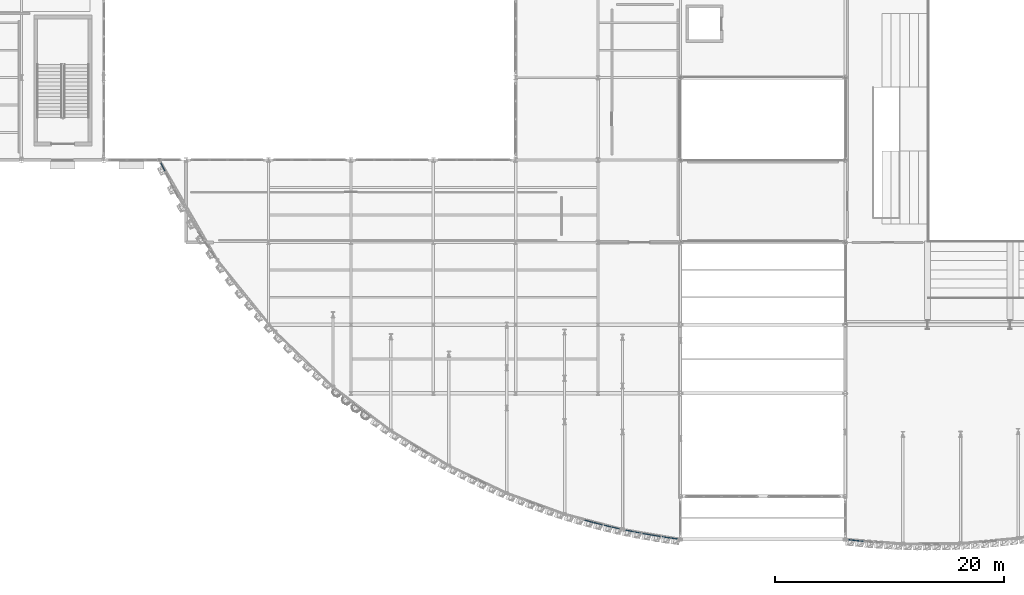
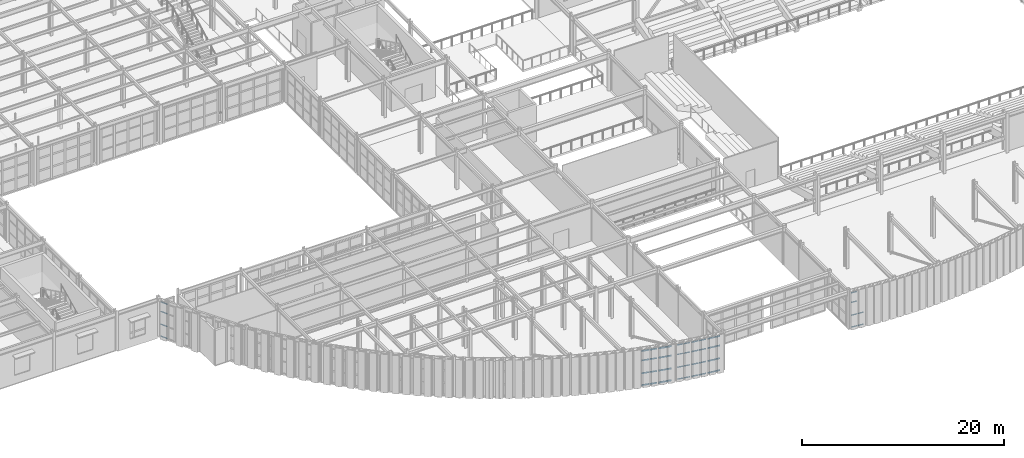
# One storey, part 68 of 121: 50 members, 7 elements without a shape of their own.
"""IFC4 building model written with IfcOpenShell, lengths in metres."""

from ifc_helpers import new_model, si_unit, direction, frame, origin, origin_2d, place, context, subcontext, project, spatial, hollow_rectangle, extrude, material, layer, layer_set, material_profile, profile_set, type_object, element, aggregate, save


model = new_model("IFC4")

# Units and contexts
model_context = context("Model", 3, precision=1e-05, world=origin(), true_north=direction((0.0, 1.0)))
body_context = subcontext(model_context, "Body", "Model", "MODEL_VIEW")
ifc_project = project(units=[si_unit("LENGTHUNIT", "METRE"), si_unit("AREAUNIT", "SQUARE_METRE"), si_unit("VOLUMEUNIT", "CUBIC_METRE"), si_unit("PLANEANGLEUNIT", "RADIAN"), si_unit("MASSUNIT", "GRAM", prefix="KILO")], contexts=[model_context])

# Site, building, storey
site_placement = place(None, origin())
site = spatial("IfcSite", under=ifc_project, at=site_placement, CompositionType="ELEMENT")
building_placement = place(site_placement, origin())
building = spatial("IfcBuilding", under=site, at=building_placement, Name="Solvadek Multi-Sports Hall", CompositionType="ELEMENT")
storey_placement = place(building_placement, frame((0.0, 0.0, 4.800048828125)))
storey = spatial("IfcBuildingStorey", under=building, at=storey_placement, Name="L01", CompositionType="ELEMENT", Elevation=4.800048828125)

# Curtain wall, members
ifc_material = material(Name="Anodised aluminium", Category="aluminium")
ifc_layer_1 = layer(ifc_material, 0.159912109375, Name="Anodised aluminium")
ifc_layer_set_1 = layer_set([ifc_layer_1], Name="Anodised aluminium")
curtain_wall_type_1 = type_object("IfcCurtainWallType", Name="ENV-CW-347X420", PredefinedType="USERDEFINED", material=ifc_layer_set_1)
curtain_wall_1_placement = place(storey_placement, origin())
curtain_wall_1 = element("IfcCurtainWall", 1, at=curtain_wall_1_placement, inside=storey, type_object=curtain_wall_type_1, Name="L01 Crescent Curved Curtain Wall #1", ObjectType="CURTAIN WALL", PredefinedType="USERDEFINED")
ifc_material_profile_1 = material_profile(ifc_material, hollow_rectangle(XDim=0.06005859375, YDim=0.1201171875, WallThickness=0.00390625, at=origin_2d()), Name="ALU-T 120x60x4")
ifc_profile_set_1 = profile_set([ifc_material_profile_1], Name="Anodised aluminium")
member_type_1 = type_object("IfcMemberType", Name="ENV-CWT-01", PredefinedType="USERDEFINED", material=ifc_profile_set_1)
member_1_placement = place(storey_placement, frame((26.590087890625, 20.13232421875, 0.030029296875), z_axis=(0.451484381787, -0.892279021944, 0.0), x_axis=(0.892279021944, 0.451484381787, 0.0)))
member_1 = element("IfcMember", 2, at=member_1_placement, type_object=member_type_1, Name="CW-01 transom 1.1", ObjectType="TRANSOM", PredefinedType="USERDEFINED", context=body_context, shape_type="SweptSolid", body=[
    extrude(hollow_rectangle(XDim=0.06005859375, YDim=0.1201171875, WallThickness=0.00390625, at=origin_2d()), origin(), (0.0, 0.0, 1.0), 0.776611328125),
])
member_2_placement = place(storey_placement, frame((26.590087890625, 20.13232421875, 1.469970703125), z_axis=(0.451484381787, -0.892279021944, 0.0), x_axis=(0.892279021944, 0.451484381787, 0.0)))
member_2 = element("IfcMember", 3, at=member_2_placement, type_object=member_type_1, Name="CW-01 transom 1.2", ObjectType="TRANSOM", PredefinedType="USERDEFINED", context=body_context, shape_type="SweptSolid", body=[
    extrude(hollow_rectangle(XDim=0.06005859375, YDim=0.1201171875, WallThickness=0.00390625, at=origin_2d()), origin(), (0.0, 0.0, 1.0), 0.776611328125),
])
member_3_placement = place(storey_placement, frame((26.590087890625, 20.13232421875, 3.02392578125), z_axis=(0.451484381787, -0.892279021944, 0.0), x_axis=(0.892279021944, 0.451484381787, 0.0)))
member_3 = element("IfcMember", 4, at=member_3_placement, type_object=member_type_1, Name="CW-01 transom 1.3", ObjectType="TRANSOM", PredefinedType="USERDEFINED", context=body_context, shape_type="SweptSolid", body=[
    extrude(hollow_rectangle(XDim=0.06005859375, YDim=0.1201171875, WallThickness=0.00390625, at=origin_2d()), origin(), (0.0, 0.0, 1.0), 0.776611328125),
])
member_4_placement = place(storey_placement, frame((26.590087890625, 20.13232421875, 4.169921875), z_axis=(0.451484381787, -0.892279021944, 0.0), x_axis=(0.892279021944, 0.451484381787, 0.0)))
member_4 = element("IfcMember", 5, at=member_4_placement, type_object=member_type_1, Name="CW-01 transom 1.4", ObjectType="TRANSOM", PredefinedType="USERDEFINED", context=body_context, shape_type="SweptSolid", body=[
    extrude(hollow_rectangle(XDim=0.06005859375, YDim=0.1201171875, WallThickness=0.00390625, at=origin_2d()), origin(), (0.0, 0.0, 1.0), 0.776611328125),
])
aggregate(curtain_wall_1, [member_1, member_2, member_3, member_4])

ifc_layer_2 = layer(ifc_material, 0.159912109375, Name="Anodised aluminium")
ifc_layer_set_2 = layer_set([ifc_layer_2], Name="Anodised aluminium")
curtain_wall_type_2 = type_object("IfcCurtainWallType", Name="ENV-CW-145X420", PredefinedType="USERDEFINED", material=ifc_layer_set_2)
curtain_wall_2_placement = place(storey_placement, origin())
curtain_wall_2 = element("IfcCurtainWall", 6, at=curtain_wall_2_placement, inside=storey, type_object=curtain_wall_type_2, Name="L01 Crescent Curved Curtain Wall #49", ObjectType="CURTAIN WALL", PredefinedType="USERDEFINED")
member_5_placement = place(storey_placement, frame((67.243408203125, -11.954833984375, 0.030029296875), z_axis=(0.980595813364, -0.196040431576, 0.0), x_axis=(0.196040431576, 0.980595813364, 0.0)))
member_5 = element("IfcMember", 7, at=member_5_placement, type_object=member_type_1, Name="CW-24 transom 1.1", ObjectType="TRANSOM", PredefinedType="USERDEFINED", context=body_context, shape_type="SweptSolid", body=[
    extrude(hollow_rectangle(XDim=0.06005859375, YDim=0.1201171875, WallThickness=0.00390625, at=origin_2d()), origin(), (0.0, 0.0, 1.0), 0.6201171875),
])
member_6_placement = place(storey_placement, frame((67.243408203125, -11.954833984375, 1.469970703125), z_axis=(0.980595813364, -0.196040431576, 0.0), x_axis=(0.196040431576, 0.980595813364, 0.0)))
member_6 = element("IfcMember", 8, at=member_6_placement, type_object=member_type_1, Name="CW-24 transom 1.2", ObjectType="TRANSOM", PredefinedType="USERDEFINED", context=body_context, shape_type="SweptSolid", body=[
    extrude(hollow_rectangle(XDim=0.06005859375, YDim=0.1201171875, WallThickness=0.00390625, at=origin_2d()), origin(), (0.0, 0.0, 1.0), 0.6201171875),
])
member_7_placement = place(storey_placement, frame((67.243408203125, -11.954833984375, 3.02392578125), z_axis=(0.980595813364, -0.196040431576, 0.0), x_axis=(0.196040431576, 0.980595813364, 0.0)))
member_7 = element("IfcMember", 9, at=member_7_placement, type_object=member_type_1, Name="CW-24 transom 1.3", ObjectType="TRANSOM", PredefinedType="USERDEFINED", context=body_context, shape_type="SweptSolid", body=[
    extrude(hollow_rectangle(XDim=0.06005859375, YDim=0.1201171875, WallThickness=0.00390625, at=origin_2d()), origin(), (0.0, 0.0, 1.0), 0.6201171875),
])
member_8_placement = place(storey_placement, frame((67.243408203125, -11.954833984375, 4.169921875), z_axis=(0.980595813364, -0.196040431576, 0.0), x_axis=(0.196040431576, 0.980595813364, 0.0)))
member_8 = element("IfcMember", 10, at=member_8_placement, type_object=member_type_1, Name="CW-24 transom 1.4", ObjectType="TRANSOM", PredefinedType="USERDEFINED", context=body_context, shape_type="SweptSolid", body=[
    extrude(hollow_rectangle(XDim=0.06005859375, YDim=0.1201171875, WallThickness=0.00390625, at=origin_2d()), origin(), (0.0, 0.0, 1.0), 0.6201171875),
])
member_9_placement = place(storey_placement, frame((67.920166015625, -12.090087890625, 0.030029296875), z_axis=(0.980595813364, -0.196040431576, 0.0), x_axis=(0.196040431576, 0.980595813364, 0.0)))
member_9 = element("IfcMember", 11, at=member_9_placement, type_object=member_type_1, Name="CW-24 transom 2.1", ObjectType="TRANSOM", PredefinedType="USERDEFINED", context=body_context, shape_type="SweptSolid", body=[
    extrude(hollow_rectangle(XDim=0.06005859375, YDim=0.1201171875, WallThickness=0.00390625, at=origin_2d()), origin(), (0.0, 0.0, 1.0), 0.6201171875),
])
member_10_placement = place(storey_placement, frame((67.920166015625, -12.090087890625, 1.469970703125), z_axis=(0.980595813364, -0.196040431576, 0.0), x_axis=(0.196040431576, 0.980595813364, 0.0)))
member_10 = element("IfcMember", 12, at=member_10_placement, type_object=member_type_1, Name="CW-24 transom 2.2", ObjectType="TRANSOM", PredefinedType="USERDEFINED", context=body_context, shape_type="SweptSolid", body=[
    extrude(hollow_rectangle(XDim=0.06005859375, YDim=0.1201171875, WallThickness=0.00390625, at=origin_2d()), origin(), (0.0, 0.0, 1.0), 0.6201171875),
])
member_11_placement = place(storey_placement, frame((67.920166015625, -12.090087890625, 3.02392578125), z_axis=(0.980595813364, -0.196040431576, 0.0), x_axis=(0.196040431576, 0.980595813364, 0.0)))
member_11 = element("IfcMember", 13, at=member_11_placement, type_object=member_type_1, Name="CW-24 transom 2.3", ObjectType="TRANSOM", PredefinedType="USERDEFINED", context=body_context, shape_type="SweptSolid", body=[
    extrude(hollow_rectangle(XDim=0.06005859375, YDim=0.1201171875, WallThickness=0.00390625, at=origin_2d()), origin(), (0.0, 0.0, 1.0), 0.6201171875),
])
member_12_placement = place(storey_placement, frame((67.920166015625, -12.090087890625, 4.169921875), z_axis=(0.980595813364, -0.196040431576, 0.0), x_axis=(0.196040431576, 0.980595813364, 0.0)))
member_12 = element("IfcMember", 14, at=member_12_placement, type_object=member_type_1, Name="CW-24 transom 2.4", ObjectType="TRANSOM", PredefinedType="USERDEFINED", context=body_context, shape_type="SweptSolid", body=[
    extrude(hollow_rectangle(XDim=0.06005859375, YDim=0.1201171875, WallThickness=0.00390625, at=origin_2d()), origin(), (0.0, 0.0, 1.0), 0.6201171875),
])
aggregate(curtain_wall_2, [member_5, member_6, member_7, member_8, member_9, member_10, member_11, member_12])

ifc_layer_3 = layer(ifc_material, 0.159912109375, Name="Anodised aluminium")
ifc_layer_set_3 = layer_set([ifc_layer_3], Name="Anodised aluminium")
curtain_wall_type_3 = type_object("IfcCurtainWallType", Name="ENV-CW-142X420", PredefinedType="USERDEFINED", material=ifc_layer_set_3)
curtain_wall_3_placement = place(storey_placement, origin())
curtain_wall_3 = element("IfcCurtainWall", 15, at=curtain_wall_3_placement, inside=storey, type_object=curtain_wall_type_3, Name="L01 Crescent Curved Curtain Wall #55", ObjectType="CURTAIN WALL", PredefinedType="USERDEFINED")
member_13_placement = place(storey_placement, frame((86.6982421875, -12.78564453125, 0.030029296875), z_axis=(0.99399365493, -0.109437717256, 0.0), x_axis=(0.109437717256, 0.99399365493, 0.0)))
member_13 = element("IfcMember", 16, at=member_13_placement, type_object=member_type_1, Name="CW-27 transom 1.1", ObjectType="TRANSOM", PredefinedType="USERDEFINED", context=body_context, shape_type="SweptSolid", body=[
    extrude(hollow_rectangle(XDim=0.06005859375, YDim=0.1201171875, WallThickness=0.00390625, at=origin_2d()), origin(), (0.0, 0.0, 1.0), 0.6201171875),
])
member_14_placement = place(storey_placement, frame((86.6982421875, -12.78564453125, 1.469970703125), z_axis=(0.99399365493, -0.109437717256, 0.0), x_axis=(0.109437717256, 0.99399365493, 0.0)))
member_14 = element("IfcMember", 17, at=member_14_placement, type_object=member_type_1, Name="CW-27 transom 1.2", ObjectType="TRANSOM", PredefinedType="USERDEFINED", context=body_context, shape_type="SweptSolid", body=[
    extrude(hollow_rectangle(XDim=0.06005859375, YDim=0.1201171875, WallThickness=0.00390625, at=origin_2d()), origin(), (0.0, 0.0, 1.0), 0.6201171875),
])
member_15_placement = place(storey_placement, frame((86.6982421875, -12.78564453125, 3.02392578125), z_axis=(0.99399365493, -0.109437717256, 0.0), x_axis=(0.109437717256, 0.99399365493, 0.0)))
member_15 = element("IfcMember", 18, at=member_15_placement, type_object=member_type_1, Name="CW-27 transom 1.3", ObjectType="TRANSOM", PredefinedType="USERDEFINED", context=body_context, shape_type="SweptSolid", body=[
    extrude(hollow_rectangle(XDim=0.06005859375, YDim=0.1201171875, WallThickness=0.00390625, at=origin_2d()), origin(), (0.0, 0.0, 1.0), 0.6201171875),
])
member_16_placement = place(storey_placement, frame((86.6982421875, -12.78564453125, 4.169921875), z_axis=(0.99399365493, -0.109437717256, 0.0), x_axis=(0.109437717256, 0.99399365493, 0.0)))
member_16 = element("IfcMember", 19, at=member_16_placement, type_object=member_type_1, Name="CW-27 transom 1.4", ObjectType="TRANSOM", PredefinedType="USERDEFINED", context=body_context, shape_type="SweptSolid", body=[
    extrude(hollow_rectangle(XDim=0.06005859375, YDim=0.1201171875, WallThickness=0.00390625, at=origin_2d()), origin(), (0.0, 0.0, 1.0), 0.6201171875),
])
member_17_placement = place(storey_placement, frame((87.374267578125, -12.85986328125, 0.030029296875), z_axis=(0.993988937438, -0.109480556501, 0.0), x_axis=(0.109480556501, 0.993988937438, 0.0)))
member_17 = element("IfcMember", 20, at=member_17_placement, type_object=member_type_1, Name="CW-27 transom 2.1", ObjectType="TRANSOM", PredefinedType="USERDEFINED", context=body_context, shape_type="SweptSolid", body=[
    extrude(hollow_rectangle(XDim=0.06005859375, YDim=0.1201171875, WallThickness=0.00390625, at=origin_2d()), origin(), (0.0, 0.0, 1.0), 0.619873046875),
])
member_18_placement = place(storey_placement, frame((87.374267578125, -12.85986328125, 1.469970703125), z_axis=(0.993988937438, -0.109480556501, 0.0), x_axis=(0.109480556501, 0.993988937438, 0.0)))
member_18 = element("IfcMember", 21, at=member_18_placement, type_object=member_type_1, Name="CW-27 transom 2.2", ObjectType="TRANSOM", PredefinedType="USERDEFINED", context=body_context, shape_type="SweptSolid", body=[
    extrude(hollow_rectangle(XDim=0.06005859375, YDim=0.1201171875, WallThickness=0.00390625, at=origin_2d()), origin(), (0.0, 0.0, 1.0), 0.619873046875),
])
aggregate(curtain_wall_3, [member_13, member_14, member_15, member_16, member_17, member_18])

ifc_layer_4 = layer(ifc_material, 0.159912109375, Name="Anodised aluminium")
ifc_layer_set_4 = layer_set([ifc_layer_4], Name="Anodised aluminium")
curtain_wall_type_4 = type_object("IfcCurtainWallType", Name="ENV-CW-165X420", PredefinedType="USERDEFINED", material=ifc_layer_set_4)
curtain_wall_4_placement = place(storey_placement, origin())
curtain_wall_4 = element("IfcCurtainWall", 22, at=curtain_wall_4_placement, inside=storey, type_object=curtain_wall_type_4, Name="L01 Crescent Curved Curtain Wall #51", ObjectType="CURTAIN WALL", PredefinedType="USERDEFINED")
ifc_material_profile_2 = material_profile(ifc_material, hollow_rectangle(XDim=0.06005859375, YDim=0.139892578125, WallThickness=0.00390625, at=origin_2d()), Name="ALU-T 140x60x4")
ifc_profile_set_2 = profile_set([ifc_material_profile_2], Name="Anodised aluminium")
member_type_2 = type_object("IfcMemberType", Name="ENV-CWT-02", PredefinedType="USERDEFINED", material=ifc_profile_set_2)
member_19_placement = place(storey_placement, frame((68.715087890625, -12.246337890625, 0.030029296875), z_axis=(0.985905166387, -0.167305119144, 0.0), x_axis=(0.167305119144, 0.985905166387, 0.0)))
member_19 = element("IfcMember", 23, at=member_19_placement, type_object=member_type_2, Name="CW-25 transom 1.1", ObjectType="TRANSOM", PredefinedType="USERDEFINED", context=body_context, shape_type="SweptSolid", body=[
    extrude(hollow_rectangle(XDim=0.06005859375, YDim=0.139892578125, WallThickness=0.00390625, at=origin_2d()), origin(), (0.0, 0.0, 1.0), 0.7353515625),
])
member_20_placement = place(storey_placement, frame((68.715087890625, -12.246337890625, 1.469970703125), z_axis=(0.985905166387, -0.167305119144, 0.0), x_axis=(0.167305119144, 0.985905166387, 0.0)))
member_20 = element("IfcMember", 24, at=member_20_placement, type_object=member_type_2, Name="CW-25 transom 1.2", ObjectType="TRANSOM", PredefinedType="USERDEFINED", context=body_context, shape_type="SweptSolid", body=[
    extrude(hollow_rectangle(XDim=0.06005859375, YDim=0.139892578125, WallThickness=0.00390625, at=origin_2d()), origin(), (0.0, 0.0, 1.0), 0.7353515625),
])
member_21_placement = place(storey_placement, frame((68.715087890625, -12.246337890625, 3.02392578125), z_axis=(0.985905166387, -0.167305119144, 0.0), x_axis=(0.167305119144, 0.985905166387, 0.0)))
member_21 = element("IfcMember", 25, at=member_21_placement, type_object=member_type_2, Name="CW-25 transom 1.3", ObjectType="TRANSOM", PredefinedType="USERDEFINED", context=body_context, shape_type="SweptSolid", body=[
    extrude(hollow_rectangle(XDim=0.06005859375, YDim=0.139892578125, WallThickness=0.00390625, at=origin_2d()), origin(), (0.0, 0.0, 1.0), 0.7353515625),
])
member_22_placement = place(storey_placement, frame((68.715087890625, -12.246337890625, 4.169921875), z_axis=(0.985905166387, -0.167305119144, 0.0), x_axis=(0.167305119144, 0.985905166387, 0.0)))
member_22 = element("IfcMember", 26, at=member_22_placement, type_object=member_type_2, Name="CW-25 transom 1.4", ObjectType="TRANSOM", PredefinedType="USERDEFINED", context=body_context, shape_type="SweptSolid", body=[
    extrude(hollow_rectangle(XDim=0.06005859375, YDim=0.139892578125, WallThickness=0.00390625, at=origin_2d()), origin(), (0.0, 0.0, 1.0), 0.7353515625),
])
member_23_placement = place(storey_placement, frame((69.499267578125, -12.37939453125, 0.030029296875), z_axis=(0.985905166387, -0.167305119144, 0.0), x_axis=(0.167305119144, 0.985905166387, 0.0)))
member_23 = element("IfcMember", 27, at=member_23_placement, type_object=member_type_2, Name="CW-25 transom 2.1", ObjectType="TRANSOM", PredefinedType="USERDEFINED", context=body_context, shape_type="SweptSolid", body=[
    extrude(hollow_rectangle(XDim=0.06005859375, YDim=0.139892578125, WallThickness=0.00390625, at=origin_2d()), origin(), (0.0, 0.0, 1.0), 0.7353515625),
])
member_24_placement = place(storey_placement, frame((69.499267578125, -12.37939453125, 1.469970703125), z_axis=(0.985905166387, -0.167305119144, 0.0), x_axis=(0.167305119144, 0.985905166387, 0.0)))
member_24 = element("IfcMember", 28, at=member_24_placement, type_object=member_type_2, Name="CW-25 transom 2.2", ObjectType="TRANSOM", PredefinedType="USERDEFINED", context=body_context, shape_type="SweptSolid", body=[
    extrude(hollow_rectangle(XDim=0.06005859375, YDim=0.139892578125, WallThickness=0.00390625, at=origin_2d()), origin(), (0.0, 0.0, 1.0), 0.7353515625),
])
member_25_placement = place(storey_placement, frame((69.499267578125, -12.37939453125, 3.02392578125), z_axis=(0.985905166387, -0.167305119144, 0.0), x_axis=(0.167305119144, 0.985905166387, 0.0)))
member_25 = element("IfcMember", 29, at=member_25_placement, type_object=member_type_2, Name="CW-25 transom 2.3", ObjectType="TRANSOM", PredefinedType="USERDEFINED", context=body_context, shape_type="SweptSolid", body=[
    extrude(hollow_rectangle(XDim=0.06005859375, YDim=0.139892578125, WallThickness=0.00390625, at=origin_2d()), origin(), (0.0, 0.0, 1.0), 0.7353515625),
])
member_26_placement = place(storey_placement, frame((69.499267578125, -12.37939453125, 4.169921875), z_axis=(0.985905166387, -0.167305119144, 0.0), x_axis=(0.167305119144, 0.985905166387, 0.0)))
member_26 = element("IfcMember", 30, at=member_26_placement, type_object=member_type_2, Name="CW-25 transom 2.4", ObjectType="TRANSOM", PredefinedType="USERDEFINED", context=body_context, shape_type="SweptSolid", body=[
    extrude(hollow_rectangle(XDim=0.06005859375, YDim=0.139892578125, WallThickness=0.00390625, at=origin_2d()), origin(), (0.0, 0.0, 1.0), 0.7353515625),
])
aggregate(curtain_wall_4, [member_19, member_20, member_21, member_22, member_23, member_24, member_25, member_26])

ifc_layer_5 = layer(ifc_material, 0.159912109375, Name="Anodised aluminium")
ifc_layer_set_5 = layer_set([ifc_layer_5], Name="Anodised aluminium")
curtain_wall_type_5 = type_object("IfcCurtainWallType", Name="ENV-CW-168X420", PredefinedType="USERDEFINED", material=ifc_layer_set_5)
curtain_wall_5_placement = place(storey_placement, origin())
curtain_wall_5 = element("IfcCurtainWall", 31, at=curtain_wall_5_placement, inside=storey, type_object=curtain_wall_type_5, Name="L01 Crescent Curved Curtain Wall #45", ObjectType="CURTAIN WALL", PredefinedType="USERDEFINED")
ifc_material_profile_3 = material_profile(ifc_material, hollow_rectangle(XDim=0.06494140625, YDim=0.159912109375, WallThickness=0.00390625, at=origin_2d()), Name="ALU-T 160x65x4")
ifc_profile_set_3 = profile_set([ifc_material_profile_3], Name="Anodised aluminium")
member_type_3 = type_object("IfcMemberType", Name="ENV-CWT-03", PredefinedType="USERDEFINED", material=ifc_profile_set_3)
member_27_placement = place(storey_placement, frame((63.657470703125, -11.0849609375, 0.032470703125), z_axis=(0.967180624685, -0.254089825129, 0.0), x_axis=(0.254089825129, 0.967180624685, 0.0)))
member_27 = element("IfcMember", 32, at=member_27_placement, type_object=member_type_3, Name="CW-22 transom 1.1", ObjectType="TRANSOM", PredefinedType="USERDEFINED", context=body_context, shape_type="SweptSolid", body=[
    extrude(hollow_rectangle(XDim=0.06494140625, YDim=0.159912109375, WallThickness=0.00390625, at=origin_2d()), origin(), (0.0, 0.0, 1.0), 0.74462890625),
])
member_28_placement = place(storey_placement, frame((63.657470703125, -11.0849609375, 1.469970703125), z_axis=(0.967180624685, -0.254089825129, 0.0), x_axis=(0.254089825129, 0.967180624685, 0.0)))
member_28 = element("IfcMember", 33, at=member_28_placement, type_object=member_type_3, Name="CW-22 transom 1.2", ObjectType="TRANSOM", PredefinedType="USERDEFINED", context=body_context, shape_type="SweptSolid", body=[
    extrude(hollow_rectangle(XDim=0.06494140625, YDim=0.159912109375, WallThickness=0.00390625, at=origin_2d()), origin(), (0.0, 0.0, 1.0), 0.74462890625),
])
member_29_placement = place(storey_placement, frame((63.657470703125, -11.0849609375, 3.02392578125), z_axis=(0.967180624685, -0.254089825129, 0.0), x_axis=(0.254089825129, 0.967180624685, 0.0)))
member_29 = element("IfcMember", 34, at=member_29_placement, type_object=member_type_3, Name="CW-22 transom 1.3", ObjectType="TRANSOM", PredefinedType="USERDEFINED", context=body_context, shape_type="SweptSolid", body=[
    extrude(hollow_rectangle(XDim=0.06494140625, YDim=0.159912109375, WallThickness=0.00390625, at=origin_2d()), origin(), (0.0, 0.0, 1.0), 0.74462890625),
])
member_30_placement = place(storey_placement, frame((63.657470703125, -11.0849609375, 4.16748046875), z_axis=(0.967180624685, -0.254089825129, 0.0), x_axis=(0.254089825129, 0.967180624685, 0.0)))
member_30 = element("IfcMember", 35, at=member_30_placement, type_object=member_type_3, Name="CW-22 transom 1.4", ObjectType="TRANSOM", PredefinedType="USERDEFINED", context=body_context, shape_type="SweptSolid", body=[
    extrude(hollow_rectangle(XDim=0.06494140625, YDim=0.159912109375, WallThickness=0.00390625, at=origin_2d()), origin(), (0.0, 0.0, 1.0), 0.74462890625),
])
member_31_placement = place(storey_placement, frame((64.4404296875, -11.290771484375, 0.032470703125), z_axis=(0.967180624685, -0.254089825129, 0.0), x_axis=(0.254089825129, 0.967180624685, 0.0)))
member_31 = element("IfcMember", 36, at=member_31_placement, type_object=member_type_3, Name="CW-22 transom 2.1", ObjectType="TRANSOM", PredefinedType="USERDEFINED", context=body_context, shape_type="SweptSolid", body=[
    extrude(hollow_rectangle(XDim=0.06494140625, YDim=0.159912109375, WallThickness=0.00390625, at=origin_2d()), origin(), (0.0, 0.0, 1.0), 0.74462890625),
])
member_32_placement = place(storey_placement, frame((64.4404296875, -11.290771484375, 1.469970703125), z_axis=(0.967180624685, -0.254089825129, 0.0), x_axis=(0.254089825129, 0.967180624685, 0.0)))
member_32 = element("IfcMember", 37, at=member_32_placement, type_object=member_type_3, Name="CW-22 transom 2.2", ObjectType="TRANSOM", PredefinedType="USERDEFINED", context=body_context, shape_type="SweptSolid", body=[
    extrude(hollow_rectangle(XDim=0.06494140625, YDim=0.159912109375, WallThickness=0.00390625, at=origin_2d()), origin(), (0.0, 0.0, 1.0), 0.74462890625),
])
member_33_placement = place(storey_placement, frame((64.4404296875, -11.290771484375, 3.02392578125), z_axis=(0.967180624685, -0.254089825129, 0.0), x_axis=(0.254089825129, 0.967180624685, 0.0)))
member_33 = element("IfcMember", 38, at=member_33_placement, type_object=member_type_3, Name="CW-22 transom 2.3", ObjectType="TRANSOM", PredefinedType="USERDEFINED", context=body_context, shape_type="SweptSolid", body=[
    extrude(hollow_rectangle(XDim=0.06494140625, YDim=0.159912109375, WallThickness=0.00390625, at=origin_2d()), origin(), (0.0, 0.0, 1.0), 0.74462890625),
])
member_34_placement = place(storey_placement, frame((64.4404296875, -11.290771484375, 4.16748046875), z_axis=(0.967180624685, -0.254089825129, 0.0), x_axis=(0.254089825129, 0.967180624685, 0.0)))
member_34 = element("IfcMember", 39, at=member_34_placement, type_object=member_type_3, Name="CW-22 transom 2.4", ObjectType="TRANSOM", PredefinedType="USERDEFINED", context=body_context, shape_type="SweptSolid", body=[
    extrude(hollow_rectangle(XDim=0.06494140625, YDim=0.159912109375, WallThickness=0.00390625, at=origin_2d()), origin(), (0.0, 0.0, 1.0), 0.74462890625),
])
aggregate(curtain_wall_5, [member_27, member_28, member_29, member_30, member_31, member_32, member_33, member_34])

ifc_layer_6 = layer(ifc_material, 0.159912109375, Name="Anodised aluminium")
ifc_layer_set_6 = layer_set([ifc_layer_6], Name="Anodised aluminium")
curtain_wall_type_6 = type_object("IfcCurtainWallType", Name="ENV-CW-143X420", PredefinedType="USERDEFINED", material=ifc_layer_set_6)
curtain_wall_6_placement = place(storey_placement, origin())
curtain_wall_6 = element("IfcCurtainWall", 40, at=curtain_wall_6_placement, inside=storey, type_object=curtain_wall_type_6, Name="L01 Crescent Curved Curtain Wall #53", ObjectType="CURTAIN WALL", PredefinedType="USERDEFINED")
member_35_placement = place(storey_placement, frame((70.40234375, -12.52978515625, 0.032470703125), z_axis=(0.990388766831, -0.138311570505, 0.0), x_axis=(0.138311570505, 0.990388766831, 0.0)))
member_35 = element("IfcMember", 41, at=member_35_placement, type_object=member_type_3, Name="CW-26 transom 1.1", ObjectType="TRANSOM", PredefinedType="USERDEFINED", context=body_context, shape_type="SweptSolid", body=[
    extrude(hollow_rectangle(XDim=0.06494140625, YDim=0.159912109375, WallThickness=0.00390625, at=origin_2d()), origin(), (0.0, 0.0, 1.0), 0.626708984375),
])
member_36_placement = place(storey_placement, frame((70.40234375, -12.52978515625, 1.469970703125), z_axis=(0.990388766831, -0.138311570505, 0.0), x_axis=(0.138311570505, 0.990388766831, 0.0)))
member_36 = element("IfcMember", 42, at=member_36_placement, type_object=member_type_3, Name="CW-26 transom 1.2", ObjectType="TRANSOM", PredefinedType="USERDEFINED", context=body_context, shape_type="SweptSolid", body=[
    extrude(hollow_rectangle(XDim=0.06494140625, YDim=0.159912109375, WallThickness=0.00390625, at=origin_2d()), origin(), (0.0, 0.0, 1.0), 0.626708984375),
])
member_37_placement = place(storey_placement, frame((70.40234375, -12.52978515625, 3.02392578125), z_axis=(0.990388766831, -0.138311570505, 0.0), x_axis=(0.138311570505, 0.990388766831, 0.0)))
member_37 = element("IfcMember", 43, at=member_37_placement, type_object=member_type_3, Name="CW-26 transom 1.3", ObjectType="TRANSOM", PredefinedType="USERDEFINED", context=body_context, shape_type="SweptSolid", body=[
    extrude(hollow_rectangle(XDim=0.06494140625, YDim=0.159912109375, WallThickness=0.00390625, at=origin_2d()), origin(), (0.0, 0.0, 1.0), 0.626708984375),
])
member_38_placement = place(storey_placement, frame((70.40234375, -12.52978515625, 4.16748046875), z_axis=(0.990388766831, -0.138311570505, 0.0), x_axis=(0.138311570505, 0.990388766831, 0.0)))
member_38 = element("IfcMember", 44, at=member_38_placement, type_object=member_type_3, Name="CW-26 transom 1.4", ObjectType="TRANSOM", PredefinedType="USERDEFINED", context=body_context, shape_type="SweptSolid", body=[
    extrude(hollow_rectangle(XDim=0.06494140625, YDim=0.159912109375, WallThickness=0.00390625, at=origin_2d()), origin(), (0.0, 0.0, 1.0), 0.626708984375),
])
member_39_placement = place(storey_placement, frame((71.082275390625, -12.624755859375, 0.032470703125), z_axis=(0.990388766831, -0.138311570505, 0.0), x_axis=(0.138311570505, 0.990388766831, 0.0)))
member_39 = element("IfcMember", 45, at=member_39_placement, type_object=member_type_3, Name="CW-26 transom 2.1", ObjectType="TRANSOM", PredefinedType="USERDEFINED", context=body_context, shape_type="SweptSolid", body=[
    extrude(hollow_rectangle(XDim=0.06494140625, YDim=0.159912109375, WallThickness=0.00390625, at=origin_2d()), origin(), (0.0, 0.0, 1.0), 0.626708984375),
])
member_40_placement = place(storey_placement, frame((71.082275390625, -12.624755859375, 1.469970703125), z_axis=(0.990388766831, -0.138311570505, 0.0), x_axis=(0.138311570505, 0.990388766831, 0.0)))
member_40 = element("IfcMember", 46, at=member_40_placement, type_object=member_type_3, Name="CW-26 transom 2.2", ObjectType="TRANSOM", PredefinedType="USERDEFINED", context=body_context, shape_type="SweptSolid", body=[
    extrude(hollow_rectangle(XDim=0.06494140625, YDim=0.159912109375, WallThickness=0.00390625, at=origin_2d()), origin(), (0.0, 0.0, 1.0), 0.626708984375),
])
member_41_placement = place(storey_placement, frame((71.082275390625, -12.624755859375, 3.02392578125), z_axis=(0.990388766831, -0.138311570505, 0.0), x_axis=(0.138311570505, 0.990388766831, 0.0)))
member_41 = element("IfcMember", 47, at=member_41_placement, type_object=member_type_3, Name="CW-26 transom 2.3", ObjectType="TRANSOM", PredefinedType="USERDEFINED", context=body_context, shape_type="SweptSolid", body=[
    extrude(hollow_rectangle(XDim=0.06494140625, YDim=0.159912109375, WallThickness=0.00390625, at=origin_2d()), origin(), (0.0, 0.0, 1.0), 0.626708984375),
])
member_42_placement = place(storey_placement, frame((71.082275390625, -12.624755859375, 4.16748046875), z_axis=(0.990388766831, -0.138311570505, 0.0), x_axis=(0.138311570505, 0.990388766831, 0.0)))
member_42 = element("IfcMember", 48, at=member_42_placement, type_object=member_type_3, Name="CW-26 transom 2.4", ObjectType="TRANSOM", PredefinedType="USERDEFINED", context=body_context, shape_type="SweptSolid", body=[
    extrude(hollow_rectangle(XDim=0.06494140625, YDim=0.159912109375, WallThickness=0.00390625, at=origin_2d()), origin(), (0.0, 0.0, 1.0), 0.626708984375),
])
aggregate(curtain_wall_6, [member_35, member_36, member_37, member_38, member_39, member_40, member_41, member_42])

ifc_layer_7 = layer(ifc_material, 0.159912109375, Name="Anodised aluminium")
ifc_layer_set_7 = layer_set([ifc_layer_7], Name="Anodised aluminium")
curtain_wall_type_7 = type_object("IfcCurtainWallType", Name="ENV-CW-146X420", PredefinedType="USERDEFINED", material=ifc_layer_set_7)
curtain_wall_7_placement = place(storey_placement, origin())
curtain_wall_7 = element("IfcCurtainWall", 49, at=curtain_wall_7_placement, inside=storey, type_object=curtain_wall_type_7, Name="L01 Crescent Curved Curtain Wall #47", ObjectType="CURTAIN WALL", PredefinedType="USERDEFINED")
ifc_material_profile_4 = material_profile(ifc_material, hollow_rectangle(XDim=0.06494140625, YDim=0.179931640625, WallThickness=0.0048828125, at=origin_2d()), Name="ALU-T 180x65x5")
ifc_profile_set_4 = profile_set([ifc_material_profile_4], Name="Anodised aluminium")
member_type_4 = type_object("IfcMemberType", Name="ENV-CWT-04", PredefinedType="USERDEFINED", material=ifc_profile_set_4)
member_43_placement = place(storey_placement, frame((65.344970703125, -11.525390625, 0.032470703125), z_axis=(0.974319665536, -0.225169246012, 0.0), x_axis=(0.225169246012, 0.974319665536, 0.0)))
member_43 = element("IfcMember", 50, at=member_43_placement, type_object=member_type_4, Name="CW-23 transom 1.1", ObjectType="TRANSOM", PredefinedType="USERDEFINED", context=body_context, shape_type="SweptSolid", body=[
    extrude(hollow_rectangle(XDim=0.06494140625, YDim=0.179931640625, WallThickness=0.0048828125, at=origin_2d()), origin(), (0.0, 0.0, 1.0), 0.63330078125),
])
member_44_placement = place(storey_placement, frame((65.344970703125, -11.525390625, 1.469970703125), z_axis=(0.974319665536, -0.225169246012, 0.0), x_axis=(0.225169246012, 0.974319665536, 0.0)))
member_44 = element("IfcMember", 51, at=member_44_placement, type_object=member_type_4, Name="CW-23 transom 1.2", ObjectType="TRANSOM", PredefinedType="USERDEFINED", context=body_context, shape_type="SweptSolid", body=[
    extrude(hollow_rectangle(XDim=0.06494140625, YDim=0.179931640625, WallThickness=0.0048828125, at=origin_2d()), origin(), (0.0, 0.0, 1.0), 0.63330078125),
])
member_45_placement = place(storey_placement, frame((65.344970703125, -11.525390625, 3.02392578125), z_axis=(0.974319665536, -0.225169246012, 0.0), x_axis=(0.225169246012, 0.974319665536, 0.0)))
member_45 = element("IfcMember", 52, at=member_45_placement, type_object=member_type_4, Name="CW-23 transom 1.3", ObjectType="TRANSOM", PredefinedType="USERDEFINED", context=body_context, shape_type="SweptSolid", body=[
    extrude(hollow_rectangle(XDim=0.06494140625, YDim=0.179931640625, WallThickness=0.0048828125, at=origin_2d()), origin(), (0.0, 0.0, 1.0), 0.63330078125),
])
member_46_placement = place(storey_placement, frame((65.344970703125, -11.525390625, 4.16748046875), z_axis=(0.974319665536, -0.225169246012, 0.0), x_axis=(0.225169246012, 0.974319665536, 0.0)))
member_46 = element("IfcMember", 53, at=member_46_placement, type_object=member_type_4, Name="CW-23 transom 1.4", ObjectType="TRANSOM", PredefinedType="USERDEFINED", context=body_context, shape_type="SweptSolid", body=[
    extrude(hollow_rectangle(XDim=0.06494140625, YDim=0.179931640625, WallThickness=0.0048828125, at=origin_2d()), origin(), (0.0, 0.0, 1.0), 0.63330078125),
])
member_47_placement = place(storey_placement, frame((66.025390625, -11.6826171875, 0.032470703125), z_axis=(0.974319665536, -0.225169246012, 0.0), x_axis=(0.225169246012, 0.974319665536, 0.0)))
member_47 = element("IfcMember", 54, at=member_47_placement, type_object=member_type_4, Name="CW-23 transom 2.1", ObjectType="TRANSOM", PredefinedType="USERDEFINED", context=body_context, shape_type="SweptSolid", body=[
    extrude(hollow_rectangle(XDim=0.06494140625, YDim=0.179931640625, WallThickness=0.0048828125, at=origin_2d()), origin(), (0.0, 0.0, 1.0), 0.63330078125),
])
member_48_placement = place(storey_placement, frame((66.025390625, -11.6826171875, 1.469970703125), z_axis=(0.974319665536, -0.225169246012, 0.0), x_axis=(0.225169246012, 0.974319665536, 0.0)))
member_48 = element("IfcMember", 55, at=member_48_placement, type_object=member_type_4, Name="CW-23 transom 2.2", ObjectType="TRANSOM", PredefinedType="USERDEFINED", context=body_context, shape_type="SweptSolid", body=[
    extrude(hollow_rectangle(XDim=0.06494140625, YDim=0.179931640625, WallThickness=0.0048828125, at=origin_2d()), origin(), (0.0, 0.0, 1.0), 0.63330078125),
])
member_49_placement = place(storey_placement, frame((66.025390625, -11.6826171875, 3.02392578125), z_axis=(0.974319665536, -0.225169246012, 0.0), x_axis=(0.225169246012, 0.974319665536, 0.0)))
member_49 = element("IfcMember", 56, at=member_49_placement, type_object=member_type_4, Name="CW-23 transom 2.3", ObjectType="TRANSOM", PredefinedType="USERDEFINED", context=body_context, shape_type="SweptSolid", body=[
    extrude(hollow_rectangle(XDim=0.06494140625, YDim=0.179931640625, WallThickness=0.0048828125, at=origin_2d()), origin(), (0.0, 0.0, 1.0), 0.63330078125),
])
member_50_placement = place(storey_placement, frame((66.025390625, -11.6826171875, 4.16748046875), z_axis=(0.974319665536, -0.225169246012, 0.0), x_axis=(0.225169246012, 0.974319665536, 0.0)))
member_50 = element("IfcMember", 57, at=member_50_placement, type_object=member_type_4, Name="CW-23 transom 2.4", ObjectType="TRANSOM", PredefinedType="USERDEFINED", context=body_context, shape_type="SweptSolid", body=[
    extrude(hollow_rectangle(XDim=0.06494140625, YDim=0.179931640625, WallThickness=0.0048828125, at=origin_2d()), origin(), (0.0, 0.0, 1.0), 0.63330078125),
])
aggregate(curtain_wall_7, [member_43, member_44, member_45, member_46, member_47, member_48, member_49, member_50])

save(model, "model.ifc")
